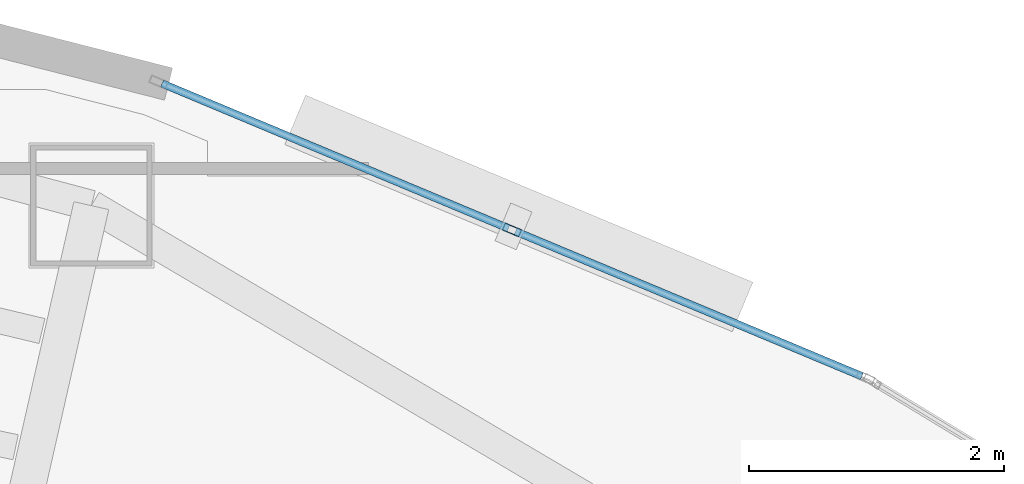
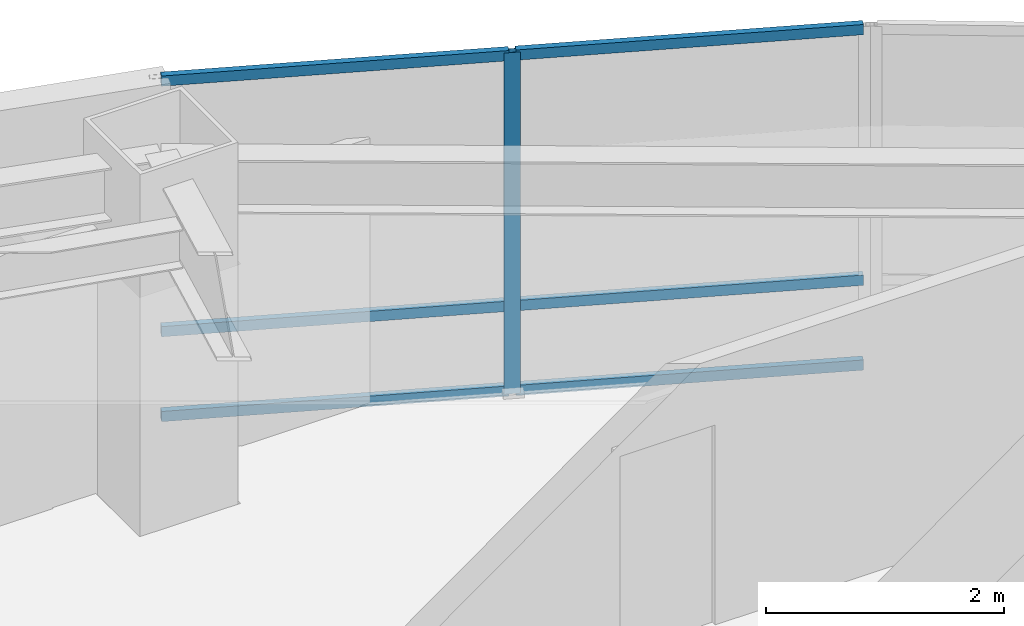
# One storey, part 10 of 15: 7 members, 1 element without a shape of its own.
"""IFC4 building model written with IfcOpenShell, lengths in metres."""

from ifc_helpers import new_model, si_unit, direction, frame, origin, origin_2d, place, context, subcontext, project, spatial, hollow_rectangle, extrude, material, layer, layer_set, material_profile, profile_set, type_object, element, aggregate, save


model = new_model("IFC4")

# Units and contexts
model_context = context("Model", 3, precision=1e-05, world=origin(), true_north=direction((0.0, 1.0)))
body_context = subcontext(model_context, "Body", "Model", "MODEL_VIEW")
ifc_project = project(units=[si_unit("LENGTHUNIT", "METRE"), si_unit("AREAUNIT", "SQUARE_METRE"), si_unit("VOLUMEUNIT", "CUBIC_METRE"), si_unit("PLANEANGLEUNIT", "RADIAN"), si_unit("MASSUNIT", "GRAM", prefix="KILO")], contexts=[model_context])

# Site, building, storey
site_placement = place(None, origin())
site = spatial("IfcSite", under=ifc_project, at=site_placement, CompositionType="ELEMENT")
building_placement = place(site_placement, origin())
building = spatial("IfcBuilding", under=site, at=building_placement, Name="Menara Vayukalpa", CompositionType="ELEMENT")
storey_placement = place(building_placement, frame((0.0, 0.0, 180.360107421875)))
storey = spatial("IfcBuildingStorey", under=building, at=storey_placement, Name="L45", CompositionType="ELEMENT", Elevation=180.360107421875)

# Curtain wall, members
ifc_material_1 = material(Name="Anodised Terracotta Aluminium Alloy 6063-T6", Category="masonry")
ifc_layer = layer(ifc_material_1, 0.139892578125)
ifc_layer_set = layer_set([ifc_layer], Name="Anodised Terracotta Aluminium Alloy 6063-T6")
curtain_wall_type = type_object("IfcCurtainWallType", Name="CW-CW5", PredefinedType="USERDEFINED", material=ifc_layer_set)
curtain_wall_placement = place(storey_placement, origin())
curtain_wall = element("IfcCurtainWall", 1, at=curtain_wall_placement, inside=storey, type_object=curtain_wall_type, Name="L45 High Rise Tapered Curtain Wall CW5 05", ObjectType="UNITISED", PredefinedType="USERDEFINED")
ifc_material_2 = material(Name="Anodised Terracotta Aluminium Alloy 6063-T6", Category="masonry")
ifc_material_profile_1 = material_profile(ifc_material_2, hollow_rectangle(XDim=0.06005859375, YDim=0.139892578125, WallThickness=0.00341796875, at=origin_2d()), Name="ALU 60x140x3.5")
ifc_profile_set_1 = profile_set([ifc_material_profile_1], Name="Anodised Terracotta Aluminium Alloy 6063-T6")
member_type_1 = type_object("IfcMemberType", Name="CWM-CW5", PredefinedType="MULLION", material=ifc_profile_set_1)
member_1_placement = place(storey_placement, frame((26.686279296875, 32.518310546875, 0.0), z_axis=(0.0, 0.0, 1.0), x_axis=(-0.385902834406, -0.922539431351, 0.0)))
member_1 = element("IfcMember", 2, at=member_1_placement, type_object=member_type_1, Name="CW5 mullion 2", PredefinedType="MULLION", context=body_context, shape_type="SweptSolid", body=[
    extrude(hollow_rectangle(XDim=0.06005859375, YDim=0.139892578125, WallThickness=0.00341796875, at=origin_2d()), origin(), (0.0, 0.0, 1.0), 3.5),
])
ifc_material_3 = material(Name="Anodised Terracotta Aluminium Alloy 6063-T6", Category="masonry")
ifc_material_profile_2 = material_profile(ifc_material_3, hollow_rectangle(XDim=0.06005859375, YDim=0.10498046875, WallThickness=0.0029296875, at=origin_2d()), Name="ALU 60x105x3")
ifc_profile_set_2 = profile_set([ifc_material_profile_2], Name="Anodised Terracotta Aluminium Alloy 6063-T6")
member_type_2 = type_object("IfcMemberType", Name="CWT-CW5", PredefinedType="USERDEFINED", material=ifc_profile_set_2)
member_2_placement = place(storey_placement, frame((29.428466796875, 31.371337890625, 0.02978515625), z_axis=(-0.922543360613, 0.385893440976, 0.0), x_axis=(-0.385893440976, -0.922543360613, 0.0)))
member_2 = element("IfcMember", 3, at=member_2_placement, type_object=member_type_2, Name="CW5 transom 1.1", ObjectType="TRANSOM", PredefinedType="USERDEFINED", context=body_context, shape_type="SweptSolid", body=[
    extrude(hollow_rectangle(XDim=0.06005859375, YDim=0.10498046875, WallThickness=0.0029296875, at=origin_2d()), origin(), (0.0, 0.0, 1.0), 2.942626953125),
])
member_3_placement = place(storey_placement, frame((29.428466796875, 31.371337890625, 0.89990234375), z_axis=(-0.922543360613, 0.385893440976, 0.0), x_axis=(-0.385893440976, -0.922543360613, 0.0)))
member_3 = element("IfcMember", 4, at=member_3_placement, type_object=member_type_2, Name="CW5 transom 1.2", ObjectType="TRANSOM", PredefinedType="USERDEFINED", context=body_context, shape_type="SweptSolid", body=[
    extrude(hollow_rectangle(XDim=0.06005859375, YDim=0.10498046875, WallThickness=0.0029296875, at=origin_2d()), origin(), (0.0, 0.0, 1.0), 2.942626953125),
])
member_4_placement = place(storey_placement, frame((29.428466796875, 31.371337890625, 3.469970703125), z_axis=(-0.922543360613, 0.385893440976, 0.0), x_axis=(-0.385893440976, -0.922543360613, 0.0)))
member_4 = element("IfcMember", 5, at=member_4_placement, type_object=member_type_2, Name="CW5 transom 1.3", ObjectType="TRANSOM", PredefinedType="USERDEFINED", context=body_context, shape_type="SweptSolid", body=[
    extrude(hollow_rectangle(XDim=0.06005859375, YDim=0.10498046875, WallThickness=0.0029296875, at=origin_2d()), origin(), (0.0, 0.0, 1.0), 2.942626953125),
])
member_5_placement = place(storey_placement, frame((26.658447265625, 32.530029296875, 0.02978515625), z_axis=(-0.922543360613, 0.385893440976, 0.0), x_axis=(-0.385893440976, -0.922543360613, 0.0)))
member_5 = element("IfcMember", 6, at=member_5_placement, type_object=member_type_2, Name="CW5 transom 2.1", ObjectType="TRANSOM", PredefinedType="USERDEFINED", context=body_context, shape_type="SweptSolid", body=[
    extrude(hollow_rectangle(XDim=0.06005859375, YDim=0.10498046875, WallThickness=0.0029296875, at=origin_2d()), origin(), (0.0, 0.0, 1.0), 2.942626953125),
])
member_6_placement = place(storey_placement, frame((26.658447265625, 32.530029296875, 0.89990234375), z_axis=(-0.922543360613, 0.385893440976, 0.0), x_axis=(-0.385893440976, -0.922543360613, 0.0)))
member_6 = element("IfcMember", 7, at=member_6_placement, type_object=member_type_2, Name="CW5 transom 2.2", ObjectType="TRANSOM", PredefinedType="USERDEFINED", context=body_context, shape_type="SweptSolid", body=[
    extrude(hollow_rectangle(XDim=0.06005859375, YDim=0.10498046875, WallThickness=0.0029296875, at=origin_2d()), origin(), (0.0, 0.0, 1.0), 2.942626953125),
])
member_7_placement = place(storey_placement, frame((26.658447265625, 32.530029296875, 3.469970703125), z_axis=(-0.922543360613, 0.385893440976, 0.0), x_axis=(-0.385893440976, -0.922543360613, 0.0)))
member_7 = element("IfcMember", 8, at=member_7_placement, type_object=member_type_2, Name="CW5 transom 2.3", ObjectType="TRANSOM", PredefinedType="USERDEFINED", context=body_context, shape_type="SweptSolid", body=[
    extrude(hollow_rectangle(XDim=0.06005859375, YDim=0.10498046875, WallThickness=0.0029296875, at=origin_2d()), origin(), (0.0, 0.0, 1.0), 2.942626953125),
])
aggregate(curtain_wall, [member_1, member_2, member_3, member_4, member_5, member_6, member_7])

save(model, "model.ifc")
